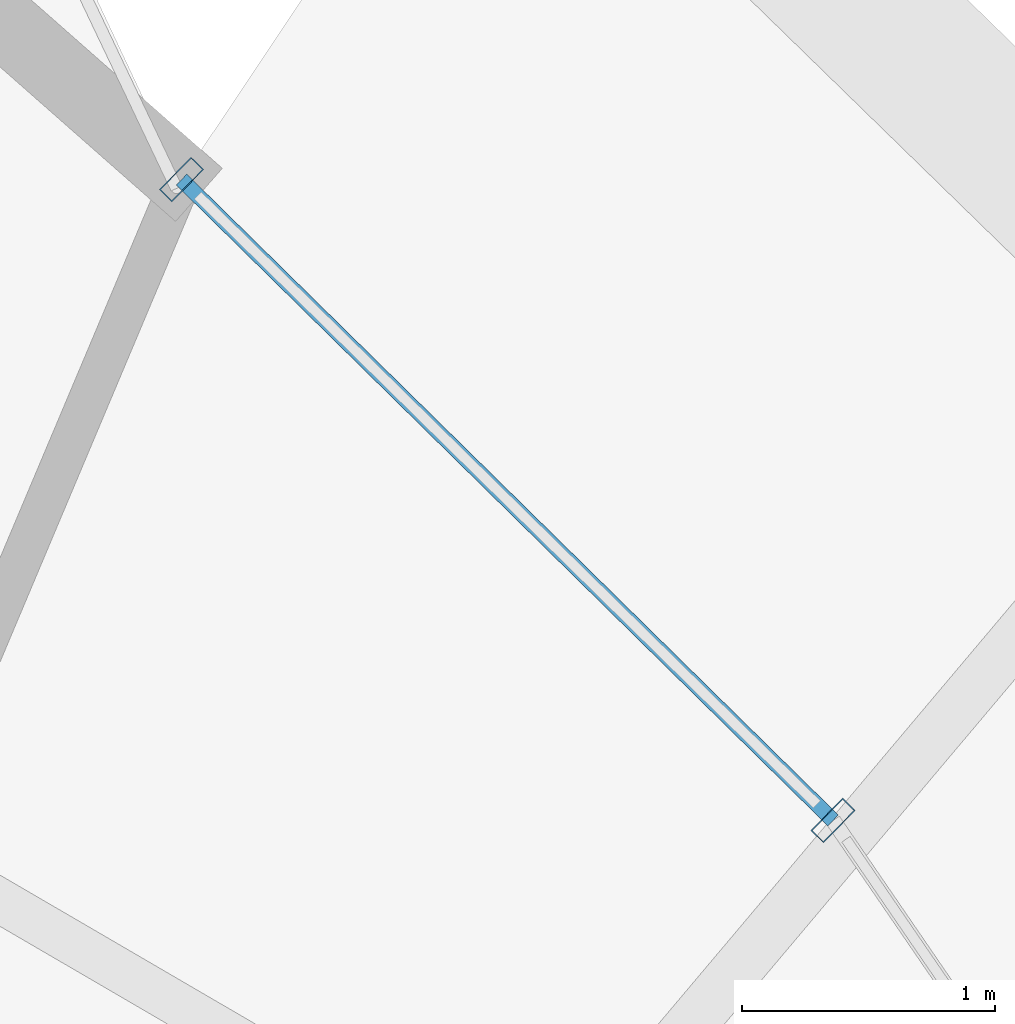
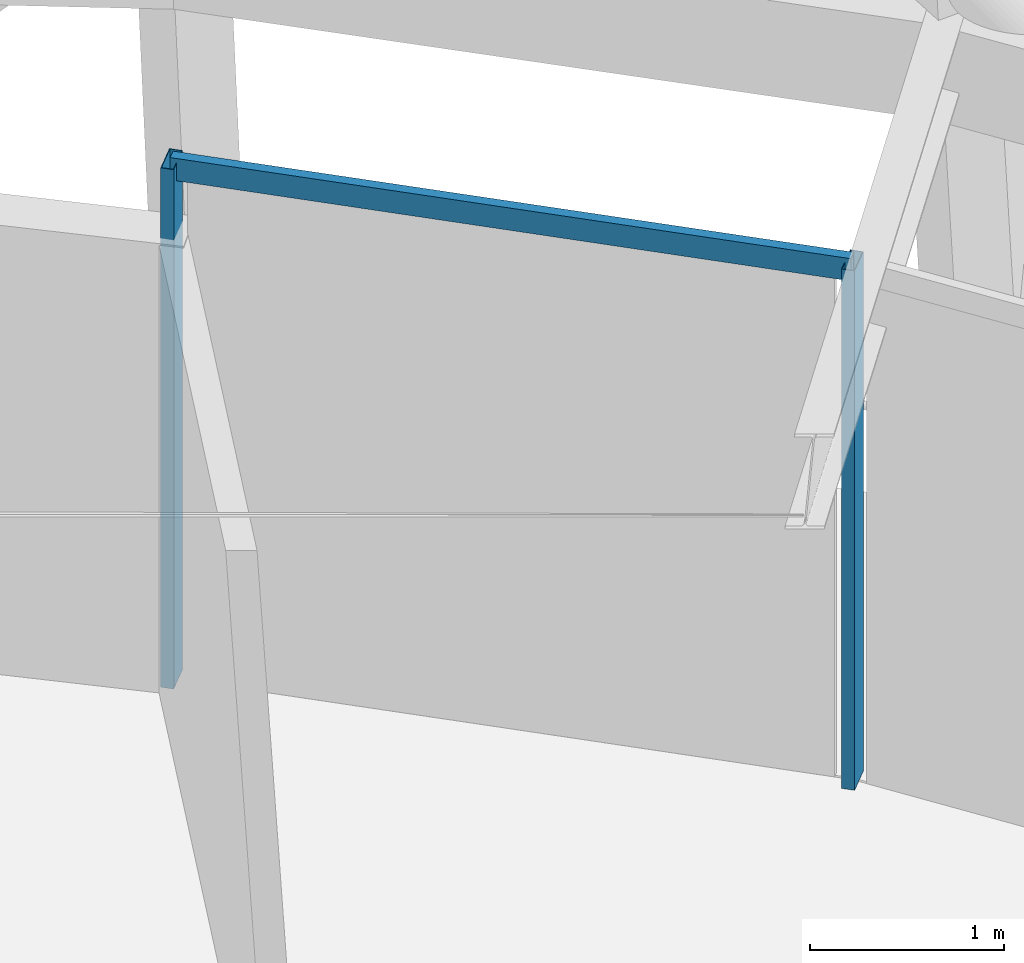
# One storey, part 7 of 14: 3 members, 1 element without a shape of its own.
"""IFC4 building model written with IfcOpenShell, lengths in metres."""

from ifc_helpers import new_model, si_unit, direction, frame, origin, origin_2d, place, context, subcontext, project, spatial, hollow_rectangle, extrude, material, layer, layer_set, material_profile, profile_set, type_object, element, aggregate, save


model = new_model("IFC4")

# Units and contexts
model_context = context("Model", 3, precision=1e-05, world=origin(), true_north=direction((0.0, 1.0)))
body_context = subcontext(model_context, "Body", "Model", "MODEL_VIEW")
ifc_project = project(units=[si_unit("LENGTHUNIT", "METRE"), si_unit("AREAUNIT", "SQUARE_METRE"), si_unit("VOLUMEUNIT", "CUBIC_METRE"), si_unit("PLANEANGLEUNIT", "RADIAN"), si_unit("MASSUNIT", "GRAM", prefix="KILO")], contexts=[model_context])

# Site, building, storey
site_placement = place(None, origin())
site = spatial("IfcSite", under=ifc_project, at=site_placement, CompositionType="ELEMENT")
building_placement = place(site_placement, origin())
building = spatial("IfcBuilding", under=site, at=building_placement, Name="Veldorina Hangang Commons", CompositionType="ELEMENT")
storey_placement = place(building_placement, frame((0.0, 0.0, 294.0)))
storey = spatial("IfcBuildingStorey", under=building, at=storey_placement, Name="L77", CompositionType="ELEMENT", Elevation=294.0)

# Curtain wall, members
ifc_material_1 = material(Name="Glass Low-E Selective", Category="glass")
ifc_layer = layer(ifc_material_1, 0.179931640625)
ifc_layer_set = layer_set([ifc_layer], Name="Glass Low-E Selective")
curtain_wall_type = type_object("IfcCurtainWallType", Name="CW-SYS-Z3", PredefinedType="NOTDEFINED", material=ifc_layer_set)
curtain_wall_placement = place(storey_placement, origin())
curtain_wall = element("IfcCurtainWall", 1, at=curtain_wall_placement, inside=storey, type_object=curtain_wall_type, Name="L77 unitised curtain wall CW-L77-R1", PredefinedType="NOTDEFINED")
ifc_material_2 = material(Name="Aluminium Anodized AA6063-T6", Category="aluminium")
ifc_material_profile_1 = material_profile(ifc_material_2, hollow_rectangle(XDim=0.070068359375, YDim=0.179931640625, WallThickness=0.00390625, at=origin_2d()), Name="ALU-RHS-180x70x4")
ifc_profile_set_1 = profile_set([ifc_material_profile_1], Name="Aluminium Anodized AA6063-T6")
member_type_1 = type_object("IfcMemberType", Name="CW-MUL-180", PredefinedType="MULLION", material=ifc_profile_set_1)
member_1_placement = place(storey_placement, frame((44.031982421875, 38.41943359375, 0.0), z_axis=(0.0, 0.0, 1.0), x_axis=(-0.712956790403, 0.70120796845, 0.0)))
member_1 = element("IfcMember", 2, at=member_1_placement, type_object=member_type_1, Name="CW-L77-R1 vertical mullion 3", PredefinedType="MULLION", context=body_context, shape_type="SweptSolid", body=[
    extrude(hollow_rectangle(XDim=0.070068359375, YDim=0.179931640625, WallThickness=0.00390625, at=origin_2d()), origin(), (0.0, 0.0, 1.0), 3.260009765625),
])
member_2_placement = place(storey_placement, frame((41.45361328125, 40.955322265625, 0.0), z_axis=(0.0, 0.0, 1.0), x_axis=(0.712956790403, -0.70120796845, 0.0)))
member_2 = element("IfcMember", 3, at=member_2_placement, type_object=member_type_1, Name="CW-L77-R1 vertical mullion 4", PredefinedType="MULLION", context=body_context, shape_type="SweptSolid", body=[
    extrude(hollow_rectangle(XDim=0.070068359375, YDim=0.179931640625, WallThickness=0.00390625, at=origin_2d()), origin(), (0.0, 0.0, 1.0), 3.260009765625),
])
ifc_material_profile_2 = material_profile(ifc_material_2, hollow_rectangle(XDim=0.06005859375, YDim=0.139892578125, WallThickness=0.00341796875, at=origin_2d()), Name="ALU-RHS-140x60x3.5")
ifc_profile_set_2 = profile_set([ifc_material_profile_2], Name="Aluminium Anodized AA6063-T6")
member_type_2 = type_object("IfcMemberType", Name="CW-TRN-140", PredefinedType="USERDEFINED", material=ifc_profile_set_2)
member_3_placement = place(storey_placement, frame((44.031982421875, 38.41943359375, 3.219970703125), z_axis=(-0.712955615151, 0.701209163391, 0.0), x_axis=(-0.701209163391, -0.712955615151, 0.0)))
member_3 = element("IfcMember", 4, at=member_3_placement, type_object=member_type_2, Name="CW-L77-R1 facet 5 transom 1", ObjectType="TRANSOM", PredefinedType="USERDEFINED", context=body_context, shape_type="SweptSolid", body=[
    extrude(hollow_rectangle(XDim=0.06005859375, YDim=0.139892578125, WallThickness=0.00341796875, at=origin_2d()), origin(), (0.0, 0.0, 1.0), 3.616455078125),
])
aggregate(curtain_wall, [member_1, member_2, member_3])

save(model, "model.ifc")
